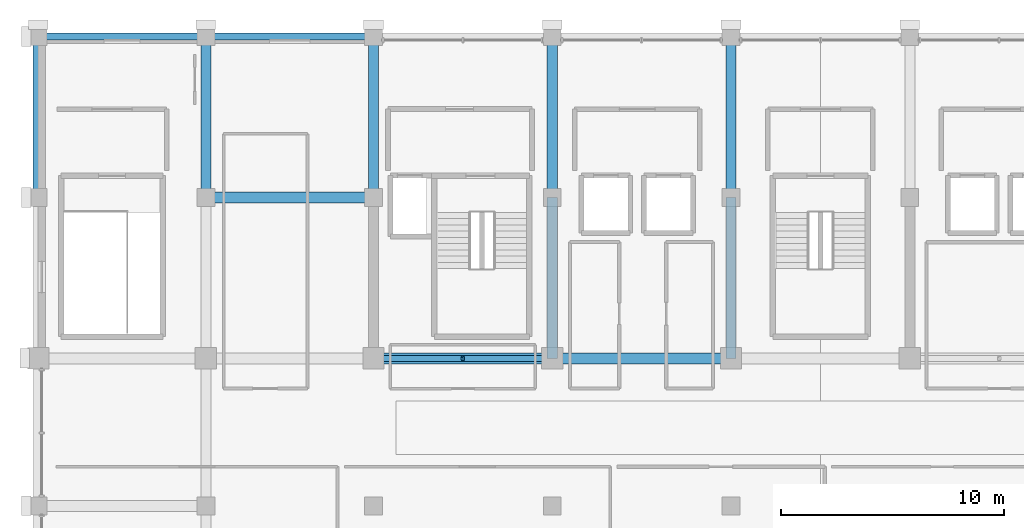
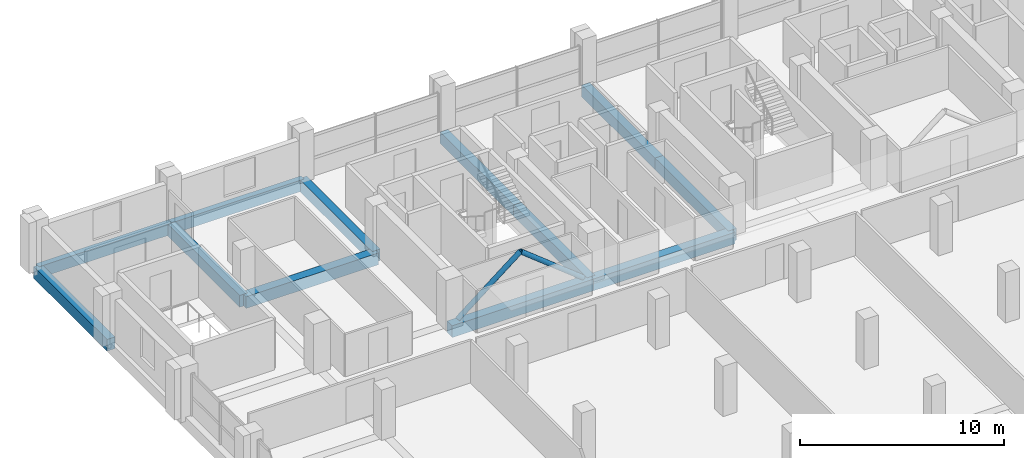
# One storey, part 9 of 21: 12 beams, 2 members.
"""IFC4 building model written with IfcOpenShell, lengths in metres."""

from ifc_helpers import new_model, si_unit, direction, frame, origin, origin_2d, place, context, subcontext, project, spatial, rectangle, hollow_circle, extrude, material, material_profile, profile_set, type_object, element, save


model = new_model("IFC4")

# Units and contexts
model_context = context("Model", 3, precision=1e-05, world=origin(), true_north=direction((0.0, 1.0)))
body_context = subcontext(model_context, "Body", "Model", "MODEL_VIEW")
ifc_project = project(units=[si_unit("LENGTHUNIT", "METRE"), si_unit("AREAUNIT", "SQUARE_METRE"), si_unit("VOLUMEUNIT", "CUBIC_METRE"), si_unit("PLANEANGLEUNIT", "RADIAN"), si_unit("MASSUNIT", "GRAM", prefix="KILO")], contexts=[model_context])

# Site, building, storey
site_placement = place(None, origin())
site = spatial("IfcSite", under=ifc_project, at=site_placement, CompositionType="ELEMENT")
building_placement = place(site_placement, origin())
building = spatial("IfcBuilding", under=site, at=building_placement, Name="Akrevak Sports Hall", CompositionType="ELEMENT")
storey_placement = place(building_placement, frame((0.0, 0.0, 37.300048828125)))
storey = spatial("IfcBuildingStorey", under=building, at=storey_placement, Name="L08", CompositionType="ELEMENT", Elevation=37.300048828125)

# Beams
ifc_material_1 = material(Name="Concrete C40/50", Category="concrete")
ifc_material_profile_1 = material_profile(ifc_material_1, rectangle(XDim=0.449951171875, YDim=0.699951171875, at=origin_2d()), Name="BM 450x700", Category="concrete")
ifc_profile_set_1 = profile_set([ifc_material_profile_1], Name="Concrete C40/50")
beam_type_1 = type_object("IfcBeamType", Name="STR-BM-RC450x700", PredefinedType="BEAM", material=ifc_profile_set_1)
for number, where, z_axis, x_axis, name in (
    (1, (45.0, 62.39990234375, -0.35009765625), (0.0, 1.0, 0.0), (-1.0, 0.0, 0.0), "Girder 7/J-K (L08)"),
    (2, (52.5, 62.39990234375, -0.35009765625), (0.0, 1.0, 0.0), (-1.0, 0.0, 0.0), "Girder 8/J-K (L08)"),
    (3, (60.0, 62.39990234375, -0.35009765625), (0.0, 1.0, 0.0), (-1.0, 0.0, 0.0), "Girder 9/J-K (L08)"),
):
    element("IfcBeam", number, at=place(storey_placement, frame(where, z_axis=z_axis, x_axis=x_axis)), inside=storey, type_object=beam_type_1, Name=name, PredefinedType="BEAM", context=body_context, shape_type="SweptSolid", body=[
        extrude(rectangle(XDim=0.449951171875, YDim=0.699951171875, at=origin_2d()), origin(), (0.0, 0.0, 1.0), 7.2001953125),
    ])
beam_1_placement = place(storey_placement, frame((68.0, 55.199951171875, -0.35009765625), z_axis=(0.0, 1.0, 0.0), x_axis=(-1.0, 0.0, 0.0)))
element("IfcBeam", 4, at=beam_1_placement, inside=storey, type_object=beam_type_1, Name="Girder 10/I-J (L08)", PredefinedType="BEAM", context=body_context, shape_type="SweptSolid", body=[
    extrude(rectangle(XDim=0.449951171875, YDim=0.699951171875, at=origin_2d()), origin(), (0.0, 0.0, 1.0), 7.199951171875),
])
beam_2_placement = place(storey_placement, frame((68.0, 62.39990234375, -0.35009765625), z_axis=(0.0, 1.0, 0.0), x_axis=(-1.0, 0.0, 0.0)))
element("IfcBeam", 5, at=beam_2_placement, inside=storey, type_object=beam_type_1, Name="Girder 10/J-K (L08)", PredefinedType="BEAM", context=body_context, shape_type="SweptSolid", body=[
    extrude(rectangle(XDim=0.449951171875, YDim=0.699951171875, at=origin_2d()), origin(), (0.0, 0.0, 1.0), 7.2001953125),
])
beam_3_placement = place(storey_placement, frame((76.0, 55.199951171875, -0.35009765625), z_axis=(0.0, 1.0, 0.0), x_axis=(-1.0, 0.0, 0.0)))
element("IfcBeam", 6, at=beam_3_placement, inside=storey, type_object=beam_type_1, Name="Girder 11/I-J (L08)", PredefinedType="BEAM", context=body_context, shape_type="SweptSolid", body=[
    extrude(rectangle(XDim=0.449951171875, YDim=0.699951171875, at=origin_2d()), origin(), (0.0, 0.0, 1.0), 7.199951171875),
])
beam_4_placement = place(storey_placement, frame((76.0, 62.39990234375, -0.35009765625), z_axis=(0.0, 1.0, 0.0), x_axis=(-1.0, 0.0, 0.0)))
element("IfcBeam", 7, at=beam_4_placement, inside=storey, type_object=beam_type_1, Name="Girder 11/J-K (L08)", PredefinedType="BEAM", context=body_context, shape_type="SweptSolid", body=[
    extrude(rectangle(XDim=0.449951171875, YDim=0.699951171875, at=origin_2d()), origin(), (0.0, 0.0, 1.0), 7.2001953125),
])
ifc_material_profile_2 = material_profile(ifc_material_1, rectangle(XDim=0.5, YDim=0.699951171875, at=origin_2d()), Name="BM 500x700", Category="concrete")
ifc_profile_set_2 = profile_set([ifc_material_profile_2], Name="Concrete C40/50")
beam_type_2 = type_object("IfcBeamType", Name="STR-BM-RC500x700", PredefinedType="BEAM", material=ifc_profile_set_2)
for number, where, z_axis, x_axis, name in (
    (8, (60.0, 55.199951171875, -0.35009765625), (1.0, 0.0, 0.0), (0.0, 1.0, 0.0), "Girder I/9-10 (L08)"),
    (9, (68.0, 55.199951171875, -0.35009765625), (1.0, 0.0, 0.0), (0.0, 1.0, 0.0), "Girder I/10-11 (L08)"),
):
    element("IfcBeam", number, at=place(storey_placement, frame(where, z_axis=z_axis, x_axis=x_axis)), inside=storey, type_object=beam_type_2, Name=name, PredefinedType="BEAM", context=body_context, shape_type="SweptSolid", body=[
        extrude(rectangle(XDim=0.5, YDim=0.699951171875, at=origin_2d()), origin(), (0.0, 0.0, 1.0), 8.0),
    ])
beam_5_placement = place(storey_placement, frame((52.5, 62.39990234375, -0.35009765625), z_axis=(1.0, 0.0, 0.0), x_axis=(0.0, 1.0, 0.0)))
element("IfcBeam", 10, at=beam_5_placement, inside=storey, type_object=beam_type_2, Name="Girder J/8-9 (L08)", PredefinedType="BEAM", context=body_context, shape_type="SweptSolid", body=[
    extrude(rectangle(XDim=0.5, YDim=0.699951171875, at=origin_2d()), origin(), (0.0, 0.0, 1.0), 7.5),
])

# Members
ifc_material_2 = material(Name="Steel S355", Category="steel")
ifc_material_profile_3 = material_profile(ifc_material_2, hollow_circle(Radius=0.136474609375, WallThickness=0.012451171875, at=origin_2d()), Name="CHS 273x12.5", Category="steel")
ifc_profile_set_3 = profile_set([ifc_material_profile_3], Name="Steel S355")
member_type = type_object("IfcMemberType", Name="STR-MEM-BRACE-CHS273", PredefinedType="BRACE", material=ifc_profile_set_3)
for number, where, z_axis, x_axis, name in (
    (11, (60.449951171875, 55.199951171875, 0.099853515625), (0.784088465774, 0.0, 0.620649077853), (0.0, 1.0, 0.0), "Tower Chevron Steel Brace L08-3A"),
    (12, (67.550048828125, 55.199951171875, 0.099853515625), (-0.784088465774, 0.0, 0.620649077853), (0.0, -1.0, 0.0), "Tower Chevron Steel Brace L08-3B"),
):
    element("IfcMember", number, at=place(storey_placement, frame(where, z_axis=z_axis, x_axis=x_axis)), inside=storey, type_object=member_type, Name=name, PredefinedType="BRACE", context=body_context, shape_type="SweptSolid", body=[
        extrude(hollow_circle(Radius=0.136474609375, WallThickness=0.012451171875, at=origin_2d()), origin(), (0.0, 0.0, 1.0), 4.527587890625),
    ])

# Beams
ifc_material_profile_4 = material_profile(ifc_material_1, rectangle(XDim=0.320068359375, YDim=0.679931640625, at=origin_2d()), Name="SPD 320x680", Category="concrete")
ifc_profile_set_4 = profile_set([ifc_material_profile_4], Name="Concrete C40/50")
beam_type_3 = type_object("IfcBeamType", Name="STR-SPD-RC320x680", PredefinedType="SPANDREL", material=ifc_profile_set_4)
for number, where, z_axis, x_axis, name in (
    (13, (45.0, 69.60009765625, -0.340087890625), (1.0, 0.0, 0.0), (0.0, 1.0, 0.0), "Girder K/7-8 (L08)"),
    (14, (52.5, 69.60009765625, -0.340087890625), (1.0, 0.0, 0.0), (0.0, 1.0, 0.0), "Girder K/8-9 (L08)"),
):
    element("IfcBeam", number, at=place(storey_placement, frame(where, z_axis=z_axis, x_axis=x_axis)), inside=storey, type_object=beam_type_3, Name=name, PredefinedType="SPANDREL", context=body_context, shape_type="SweptSolid", body=[
        extrude(rectangle(XDim=0.320068359375, YDim=0.679931640625, at=origin_2d()), origin(), (0.0, 0.0, 1.0), 7.5),
    ])

save(model, "model.ifc")
